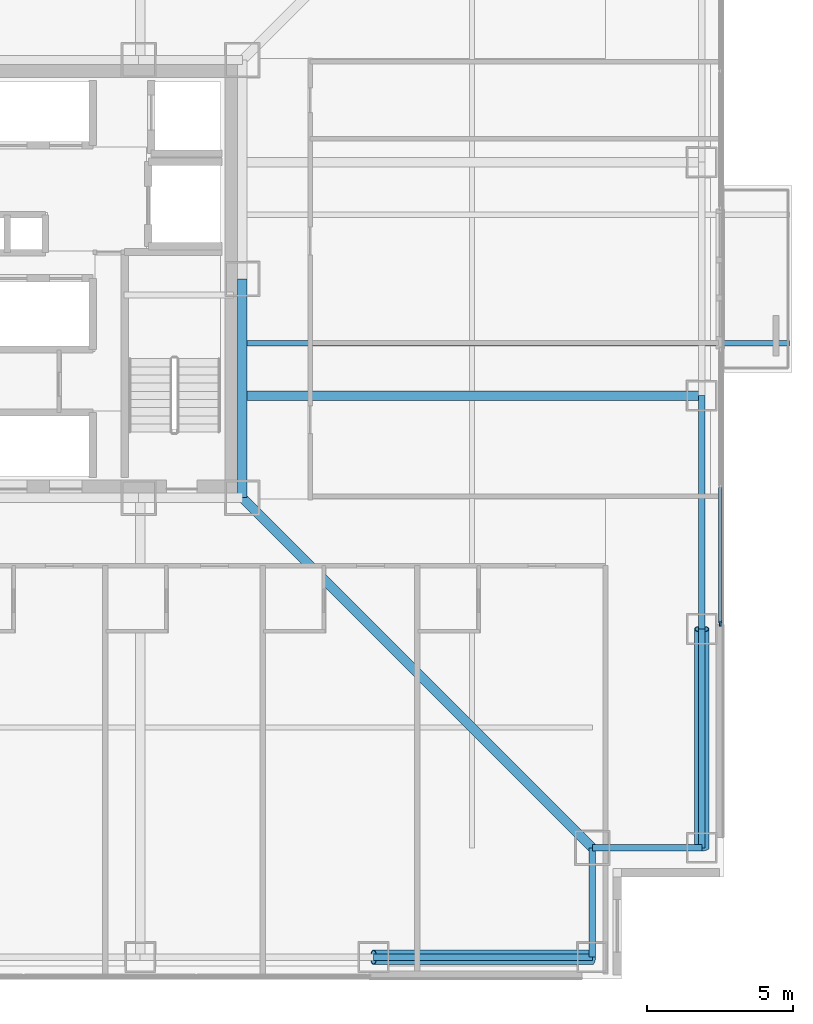
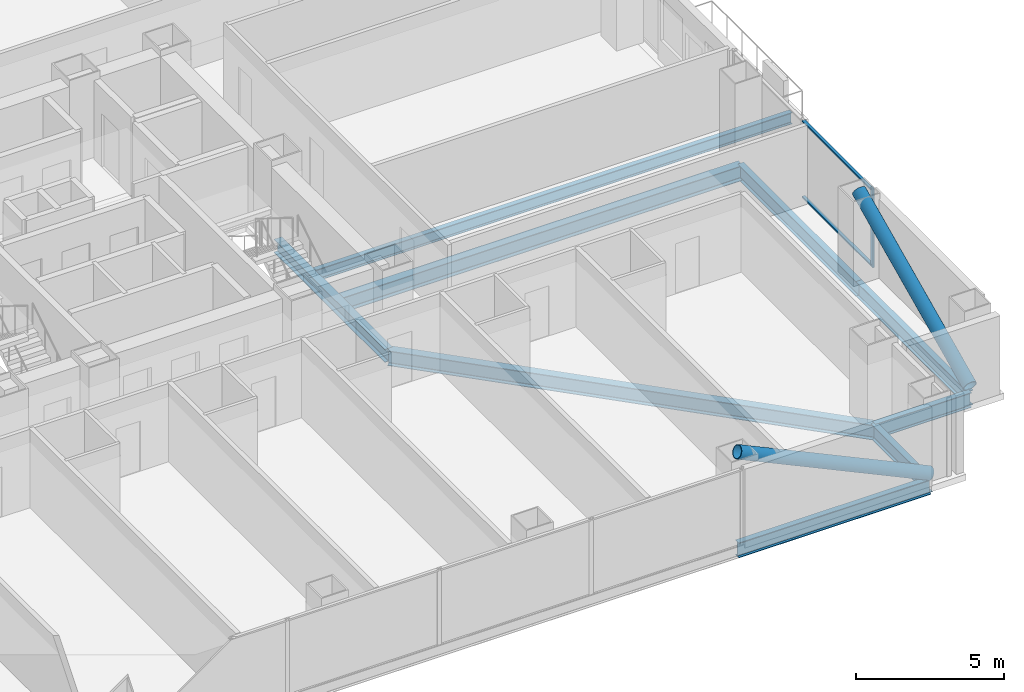
# One storey, part 8 of 20: 9 beams, 5 members, 1 element without a shape of its own.
"""IFC4 building model written with IfcOpenShell, lengths in metres."""

from ifc_helpers import new_model, si_unit, direction, frame, origin, origin_2d, place, context, subcontext, project, spatial, rectangle, hollow_circle, i_section, extrude, material, layer, layer_set, material_profile, profile_set, type_object, element, aggregate, save


model = new_model("IFC4")

# Units and contexts
model_context = context("Model", 3, precision=1e-05, world=origin(), true_north=direction((0.0, 1.0)))
body_context = subcontext(model_context, "Body", "Model", "MODEL_VIEW")
ifc_project = project(units=[si_unit("LENGTHUNIT", "METRE"), si_unit("AREAUNIT", "SQUARE_METRE"), si_unit("VOLUMEUNIT", "CUBIC_METRE"), si_unit("PLANEANGLEUNIT", "RADIAN"), si_unit("MASSUNIT", "GRAM", prefix="KILO")], contexts=[model_context])

# Site, building, storey
site_placement = place(None, origin())
site = spatial("IfcSite", under=ifc_project, at=site_placement, CompositionType="ELEMENT")
building_placement = place(site_placement, origin())
building = spatial("IfcBuilding", under=site, at=building_placement, Name="Trevonay Congress Spire", CompositionType="ELEMENT")
storey_placement = place(building_placement, frame((0.0, 0.0, 76.0)))
storey = spatial("IfcBuildingStorey", under=building, at=storey_placement, Name="L19", CompositionType="ELEMENT", Elevation=76.0)

# Beams
ifc_material_1 = material(Name="Steel ASTM A572 Grade 50", Category="steel")
ifc_material_profile_1 = material_profile(ifc_material_1, i_section(OverallWidth=0.194091796875, OverallDepth=0.468994140625, WebThickness=0.011474609375, FlangeThickness=0.01953125, FilletRadius=0.013916015625, at=origin_2d()), Name="W460x106")
ifc_profile_set_1 = profile_set([ifc_material_profile_1], Name="Steel ASTM A572 Grade 50")
beam_type_1 = type_object("IfcBeamType", Name="BM-BAL-LOOKOUT", PredefinedType="BEAM", material=ifc_profile_set_1)
beam_1_placement = place(storey_placement, frame((7.5, -2.199951171875, -0.484619140625), z_axis=(1.0, 0.0, 0.0), x_axis=(0.0, 1.0, 0.0)))
element("IfcBeam", 1, at=beam_1_placement, inside=storey, type_object=beam_type_1, Name="L19 structural beam LKT-L19-E1", PredefinedType="BEAM", context=body_context, shape_type="SweptSolid", body=[
    extrude(i_section(OverallWidth=0.194091796875, OverallDepth=0.468994140625, WebThickness=0.011474609375, FlangeThickness=0.01953125, FilletRadius=0.013916015625, at=origin_2d()), origin(), (0.0, 0.0, 1.0), 18.75),
])
ifc_material_profile_2 = material_profile(ifc_material_1, i_section(OverallWidth=0.31201171875, OverallDepth=0.54296875, WebThickness=0.0126953125, FlangeThickness=0.020263671875, FilletRadius=0.014892578125, at=origin_2d()), Name="W530x150")
ifc_profile_set_2 = profile_set([ifc_material_profile_2], Name="Steel ASTM A572 Grade 50")
beam_type_2 = type_object("IfcBeamType", Name="BM-GIRD-W530X150", PredefinedType="BEAM", material=ifc_profile_set_2)
beam_2_placement = place(storey_placement, frame((7.5, -7.5, -0.521484375), z_axis=(0.0, 1.0, 0.0), x_axis=(-1.0, 0.0, 0.0)))
element("IfcBeam", 2, at=beam_2_placement, inside=storey, type_object=beam_type_2, Name="L19 structural beam BM-L19-CR-E1", PredefinedType="BEAM", context=body_context, shape_type="SweptSolid", body=[
    extrude(i_section(OverallWidth=0.31201171875, OverallDepth=0.54296875, WebThickness=0.0126953125, FlangeThickness=0.020263671875, FilletRadius=0.014892578125, at=origin_2d()), origin(), (0.0, 0.0, 1.0), 7.5),
])
ifc_material_profile_3 = material_profile(ifc_material_1, i_section(OverallWidth=0.324951171875, OverallDepth=0.615966796875, WebThickness=0.013916015625, FlangeThickness=0.021484375, FilletRadius=0.01806640625, at=origin_2d()), Name="W610x174")
ifc_profile_set_3 = profile_set([ifc_material_profile_3], Name="Steel ASTM A572 Grade 50")
beam_type_3 = type_object("IfcBeamType", Name="BM-GIRD-W610X174", PredefinedType="BEAM", material=ifc_profile_set_3)
beam_3_placement = place(storey_placement, frame((7.5, -7.5, -0.55810546875), z_axis=(0.707106781187, -0.707106781187, 0.0), x_axis=(0.707106781187, 0.707106781187, 0.0)))
element("IfcBeam", 3, at=beam_3_placement, inside=storey, type_object=beam_type_3, Name="L19 structural beam BM-L19-CDSE", PredefinedType="BEAM", context=body_context, shape_type="SweptSolid", body=[
    extrude(i_section(OverallWidth=0.324951171875, OverallDepth=0.615966796875, WebThickness=0.013916015625, FlangeThickness=0.021484375, FilletRadius=0.01806640625, at=origin_2d()), origin(), (0.0, 0.0, 1.0), 16.970458984375),
])
beam_4_placement = place(storey_placement, frame((7.5, -4.0, -0.55810546875), z_axis=(1.0, 0.0, 0.0), x_axis=(0.0, 1.0, 0.0)))
element("IfcBeam", 4, at=beam_4_placement, inside=storey, type_object=beam_type_3, Name="L19 structural beam BM-L19-GE-M", PredefinedType="BEAM", context=body_context, shape_type="SweptSolid", body=[
    extrude(i_section(OverallWidth=0.324951171875, OverallDepth=0.615966796875, WebThickness=0.013916015625, FlangeThickness=0.021484375, FilletRadius=0.01806640625, at=origin_2d()), origin(), (0.0, 0.0, 1.0), 15.75),
])
ifc_material_profile_4 = material_profile(ifc_material_1, i_section(OverallWidth=0.22998046875, OverallDepth=0.616943359375, WebThickness=0.01318359375, FlangeThickness=0.022216796875, FilletRadius=0.01611328125, at=origin_2d()), Name="W610x140")
ifc_profile_set_4 = profile_set([ifc_material_profile_4], Name="Steel ASTM A572 Grade 50")
beam_type_4 = type_object("IfcBeamType", Name="BM-RING-W610X140", PredefinedType="BEAM", material=ifc_profile_set_4)
beam_5_placement = place(storey_placement, frame((23.25, -19.5, -0.55859375), z_axis=(0.0, 1.0, 0.0), x_axis=(-1.0, 0.0, 0.0)))
element("IfcBeam", 5, at=beam_5_placement, inside=storey, type_object=beam_type_4, Name="L19 structural beam BM-L19-PE1", PredefinedType="BEAM", context=body_context, shape_type="SweptSolid", body=[
    extrude(i_section(OverallWidth=0.22998046875, OverallDepth=0.616943359375, WebThickness=0.01318359375, FlangeThickness=0.022216796875, FilletRadius=0.01611328125, at=origin_2d()), origin(), (0.0, 0.0, 1.0), 7.5),
])
beam_6_placement = place(storey_placement, frame((23.25, -12.0, -0.55859375), z_axis=(0.0, 1.0, 0.0), x_axis=(-1.0, 0.0, 0.0)))
element("IfcBeam", 6, at=beam_6_placement, inside=storey, type_object=beam_type_4, Name="L19 structural beam BM-L19-PE2", PredefinedType="BEAM", context=body_context, shape_type="SweptSolid", body=[
    extrude(i_section(OverallWidth=0.22998046875, OverallDepth=0.616943359375, WebThickness=0.01318359375, FlangeThickness=0.022216796875, FilletRadius=0.01611328125, at=origin_2d()), origin(), (0.0, 0.0, 1.0), 8.0),
])
beam_7_placement = place(storey_placement, frame((12.0, -23.25, -0.55859375), z_axis=(1.0, 0.0, 0.0), x_axis=(0.0, 1.0, 0.0)))
element("IfcBeam", 7, at=beam_7_placement, inside=storey, type_object=beam_type_4, Name="L19 structural beam BM-L19-PS5", PredefinedType="BEAM", context=body_context, shape_type="SweptSolid", body=[
    extrude(i_section(OverallWidth=0.22998046875, OverallDepth=0.616943359375, WebThickness=0.01318359375, FlangeThickness=0.022216796875, FilletRadius=0.01611328125, at=origin_2d()), origin(), (0.0, 0.0, 1.0), 7.5),
])
for number, where, z_axis, x_axis, name in (
    (8, (19.5, -23.25, -0.55859375), (0.0, 1.0, 0.0), (-1.0, 0.0, 0.0), "L19 structural beam BM-L19-N1SE"),
    (9, (23.25, -19.5, -0.55859375), (-1.0, 0.0, 0.0), (0.0, -1.0, 0.0), "L19 structural beam BM-L19-N2SE"),
):
    element("IfcBeam", number, at=place(storey_placement, frame(where, z_axis=z_axis, x_axis=x_axis)), inside=storey, type_object=beam_type_4, Name=name, PredefinedType="BEAM", context=body_context, shape_type="SweptSolid", body=[
        extrude(i_section(OverallWidth=0.22998046875, OverallDepth=0.616943359375, WebThickness=0.01318359375, FlangeThickness=0.022216796875, FilletRadius=0.01611328125, at=origin_2d()), origin(), (0.0, 0.0, 1.0), 3.75),
    ])

# Curtain wall, members
ifc_material_2 = material(Name="Pale Anodised Aluminium EN AW-6063-T6", Category="aluminium")
ifc_layer = layer(ifc_material_2, 0.179931640625, Name="Pale Anodised Aluminium EN AW-6063-T6")
ifc_layer_set = layer_set([ifc_layer], Name="Pale Anodised Aluminium EN AW-6063-T6")
curtain_wall_type = type_object("IfcCurtainWallType", Name="CW-SYS02-HOTEL-PALE-METAL", PredefinedType="NOTDEFINED", material=ifc_layer_set)
curtain_wall_placement = place(storey_placement, origin())
curtain_wall = element("IfcCurtainWall", 10, at=curtain_wall_placement, inside=storey, type_object=curtain_wall_type, Name="L19 EA unitised curtain wall", PredefinedType="NOTDEFINED")
ifc_material_profile_5 = material_profile(ifc_material_2, rectangle(XDim=0.06005859375, YDim=0.159912109375, at=origin_2d()), Name="CW-MULLION-160-ALUMINIUM")
ifc_profile_set_5 = profile_set([ifc_material_profile_5], Name="Pale Anodised Aluminium EN AW-6063-T6")
member_type_1 = type_object("IfcMemberType", Name="CW-MULLION-160-ALUMINIUM", PredefinedType="MULLION", material=ifc_profile_set_5)
member_1_placement = place(storey_placement, frame((23.8798828125, -11.820068359375, 0.0), z_axis=(0.0, 0.0, 1.0), x_axis=(-1.0, 0.0, 0.0)))
member_1 = element("IfcMember", 11, at=member_1_placement, type_object=member_type_1, Name="CW02 mullion 1", PredefinedType="MULLION", context=body_context, shape_type="SweptSolid", body=[
    extrude(rectangle(XDim=0.06005859375, YDim=0.159912109375, at=origin_2d()), origin(), (0.0, 0.0, 1.0), 3.25),
])
ifc_material_profile_6 = material_profile(ifc_material_2, rectangle(XDim=0.1201171875, YDim=0.06005859375, at=origin_2d()), Name="CW-TRANSOM-120-ALUMINIUM")
ifc_profile_set_6 = profile_set([ifc_material_profile_6], Name="Pale Anodised Aluminium EN AW-6063-T6")
member_type_2 = type_object("IfcMemberType", Name="CW-TRANSOM-120-ALUMINIUM", PredefinedType="USERDEFINED", material=ifc_profile_set_6)
member_2_placement = place(storey_placement, frame((23.8798828125, -11.7900390625, 0.06005859375), z_axis=(0.0, 1.0, 0.0), x_axis=(-1.0, 0.0, 0.0)))
member_2 = element("IfcMember", 12, at=member_2_placement, type_object=member_type_2, Name="CW02 transom 1.1", ObjectType="TRANSOM", PredefinedType="USERDEFINED", context=body_context, shape_type="SweptSolid", body=[
    extrude(rectangle(XDim=0.1201171875, YDim=0.06005859375, at=origin_2d()), origin(), (0.0, 0.0, 1.0), 4.635009765625),
])
member_3_placement = place(storey_placement, frame((23.8798828125, -11.7900390625, 3.18994140625), z_axis=(0.0, 1.0, 0.0), x_axis=(-1.0, 0.0, 0.0)))
member_3 = element("IfcMember", 13, at=member_3_placement, type_object=member_type_2, Name="CW02 transom 1.2", ObjectType="TRANSOM", PredefinedType="USERDEFINED", context=body_context, shape_type="SweptSolid", body=[
    extrude(rectangle(XDim=0.1201171875, YDim=0.06005859375, at=origin_2d()), origin(), (0.0, 0.0, 1.0), 4.635009765625),
])
aggregate(curtain_wall, [member_1, member_2, member_3])

# Members
ifc_material_profile_7 = material_profile(ifc_material_1, hollow_circle(Radius=0.25390625, WallThickness=0.02490234375, at=origin_2d()), Name="CHS 508x25")
ifc_profile_set_7 = profile_set([ifc_material_profile_7], Name="Steel ASTM A572 Grade 50")
member_type_3 = type_object("IfcMemberType", Name="MBR-TUBE-CHS508", PredefinedType="BRACE", material=ifc_profile_set_7)
for number, where, z_axis, x_axis, name in (
    (14, (19.5, -23.25, -0.050048828125), (-0.906183139995, 0.0, 0.422885465331), (0.0, -1.0, 0.0), "L19 perimeter braced-tube diagonal S4"),
    (15, (23.25, -19.5, -0.050048828125), (0.0, 0.906183139995, 0.422885465331), (-1.0, 0.0, 0.0), "L19 perimeter braced-tube diagonal E0"),
):
    element("IfcMember", number, at=place(storey_placement, frame(where, z_axis=z_axis, x_axis=x_axis)), inside=storey, type_object=member_type_3, Name=name, PredefinedType="BRACE", context=body_context, shape_type="SweptSolid", body=[
        extrude(hollow_circle(Radius=0.25390625, WallThickness=0.02490234375, at=origin_2d()), origin(), (0.0, 0.0, 1.0), 8.2763671875),
    ])

save(model, "model.ifc")
